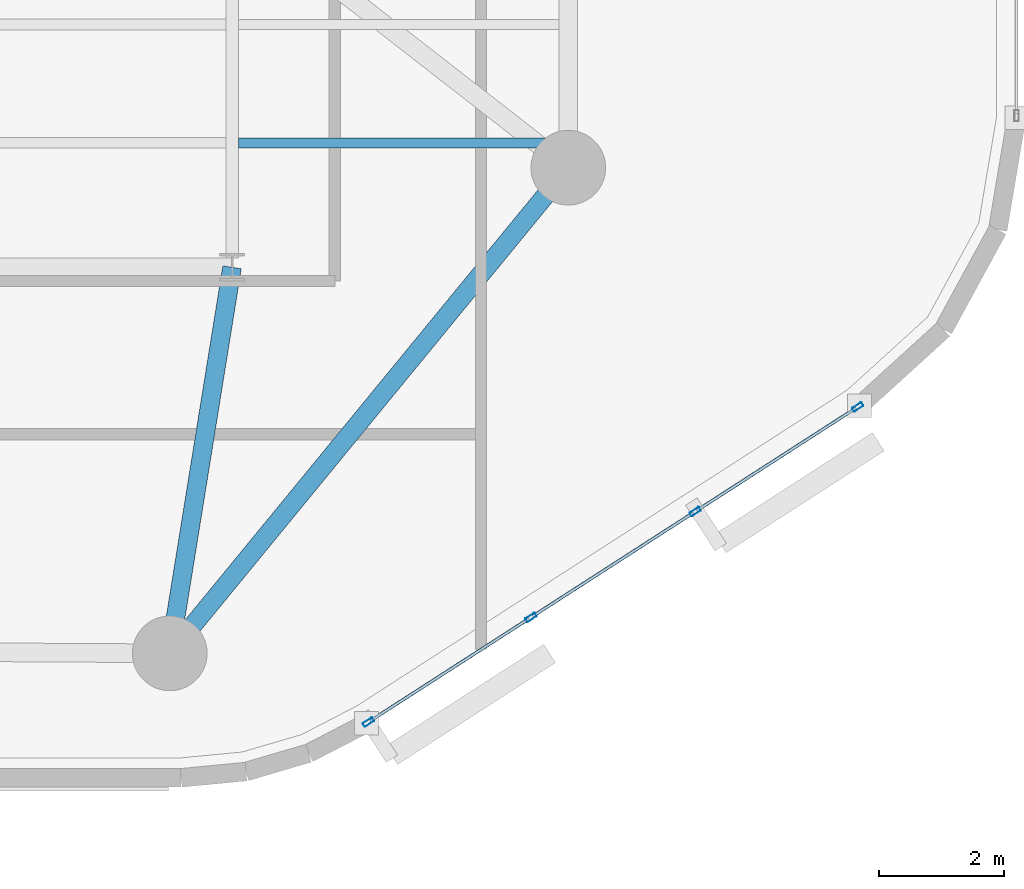
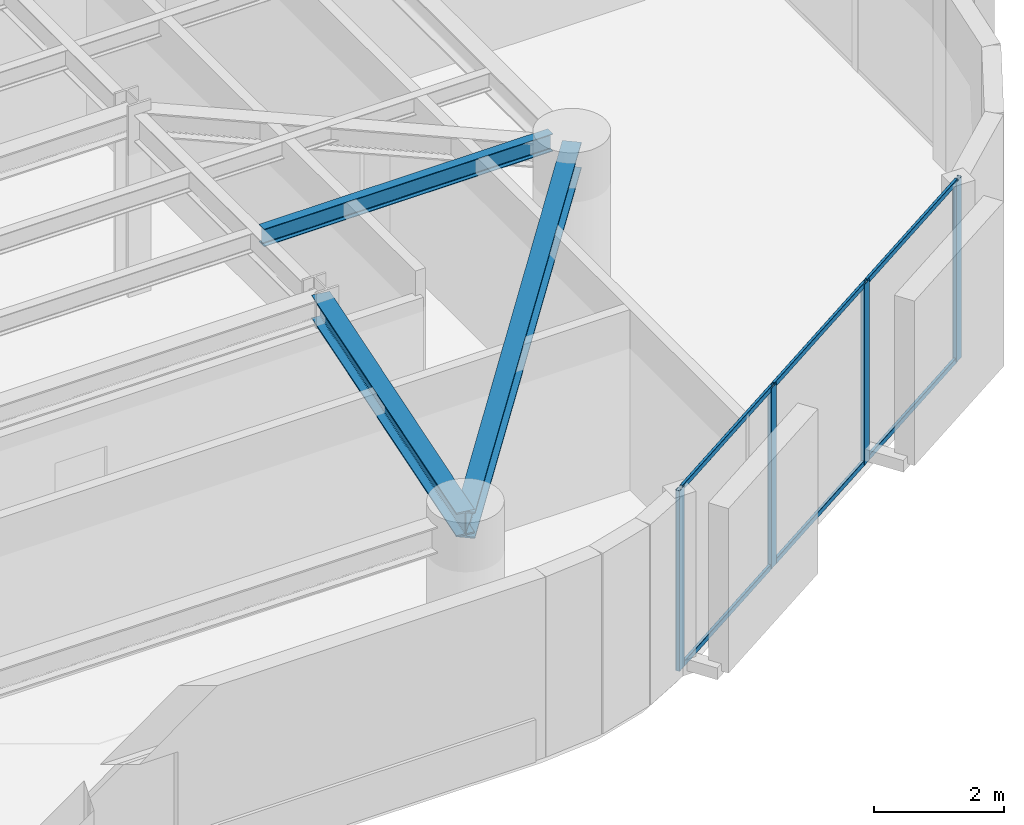
# One storey, part 2 of 15: 10 members, 3 beams, 1 element without a shape of its own.
"""IFC4 building model written with IfcOpenShell, lengths in metres."""

import ifcopenshell
import ifcopenshell.guid

model = None  # the IFC model being written
_history = None  # IfcOwnerHistory: only IFC2X3 demands one
_inside = {}  # id of a spatial element -> (the spatial element, [elements in it])
_under = {}  # id of a project, library or spatial element -> (it, [spatial elements below it])
_declared = {}  # id of a project -> (the project, [libraries it declares])
_typed = {}  # id of a type object -> (the type object, [elements of that type])
_made_of = {}  # id of a material, layer set ... -> (it, [elements and type objects made of it])


def new_model(schema):
    """Start an empty IFC model of exactly this schema.

    Asked for "IFC4X3", IfcOpenShell would pick the latest addendum, in which some entities
    have other attributes; the version numbers below select the first issue.
    IFC2X3 requires an IfcOwnerHistory on every rooted entity: one is made here for all.
    """
    global model, _history
    if schema == "IFC4X3":
        model = ifcopenshell.file(schema_version=(4, 3, 0, 0))
    else:
        model = ifcopenshell.file(schema=schema)
    _inside.clear()
    _under.clear()
    _declared.clear()
    _typed.clear()
    _made_of.clear()
    _history = None
    if model.schema == "IFC2X3":
        org = make("IfcOrganization", Name="unknown")
        user = make(
            "IfcPersonAndOrganization",
            ThePerson=make("IfcPerson", FamilyName="unknown"),
            TheOrganization=org,
        )
        app = make(
            "IfcApplication",
            ApplicationDeveloper=org,
            Version="unknown",
            ApplicationFullName="unknown",
            ApplicationIdentifier="unknown",
        )
        _history = make(
            "IfcOwnerHistory",
            OwningUser=user,
            OwningApplication=app,
            ChangeAction="ADDED",
            CreationDate=0,
        )
    return model


def make(cls, **values):
    """One entity of the class cls with the attributes given. An attribute that is None is left unset."""
    return model.create_entity(
        cls, **{name: value for name, value in values.items() if value is not None}
    )


def rooted(cls, **values):
    """An entity with a GlobalId (a new one), such as an element, a storey or a relation."""
    return make(cls, GlobalId=ifcopenshell.guid.new(), OwnerHistory=_history, **values)


def si_unit(unit_type, name, prefix=None):
    """IfcSIUnit, for example si_unit("LENGTHUNIT", "METRE", prefix="MILLI")."""
    return make("IfcSIUnit", UnitType=unit_type, Prefix=prefix, Name=name)


def assignment(units):
    """IfcUnitAssignment: the units of a project."""
    return None if units is None else make("IfcUnitAssignment", Units=units)


def point(xyz):
    """IfcCartesianPoint."""
    return None if xyz is None else make("IfcCartesianPoint", Coordinates=xyz)


def direction(xyz):
    """IfcDirection."""
    return None if xyz is None else make("IfcDirection", DirectionRatios=xyz)


def frame(location, z_axis=None, x_axis=None):
    """IfcAxis2Placement3D, a coordinate frame: its origin and axes. An axis left out is left unset."""
    return make(
        "IfcAxis2Placement3D",
        Location=point(location),
        Axis=direction(z_axis),
        RefDirection=direction(x_axis),
    )


def frame_2d(location, x_axis=None):
    """IfcAxis2Placement2D, a coordinate frame in the plane: its origin and x axis."""
    return make(
        "IfcAxis2Placement2D", Location=point(location), RefDirection=direction(x_axis)
    )


def origin():
    """The frame at (0, 0, 0) with its axes left unset."""
    return frame((0.0, 0.0, 0.0))


def origin_2d():
    """The frame at (0, 0) in the plane with its x axis left unset."""
    return frame_2d((0.0, 0.0))


def place(relative_to, where):
    """IfcLocalPlacement: puts the frame where relative to a parent placement (None: the world)."""
    return make(
        "IfcLocalPlacement", PlacementRelTo=relative_to, RelativePlacement=where
    )


def context(
    kind, dimensions, precision=None, world=None, true_north=None, identifier=None
):
    """IfcGeometricRepresentationContext, for example the 3D "Model" context."""
    return make(
        "IfcGeometricRepresentationContext",
        ContextIdentifier=identifier,
        ContextType=kind,
        CoordinateSpaceDimension=dimensions,
        Precision=precision,
        WorldCoordinateSystem=world,
        TrueNorth=true_north,
    )


def subcontext(parent, identifier, kind, view, scale=None):
    """IfcGeometricRepresentationSubContext, for example "Body" below "Model"."""
    return make(
        "IfcGeometricRepresentationSubContext",
        ContextIdentifier=identifier,
        ContextType=kind,
        ParentContext=parent,
        TargetScale=scale,
        TargetView=view,
    )


def project(units=None, contexts=None):
    """IfcProject with its units and contexts."""
    return rooted(
        "IfcProject",
        Name="project",
        RepresentationContexts=contexts,
        UnitsInContext=assignment(units),
    )


def spatial(cls, under=None, at=None, **own):
    """A site, building, storey or space (cls), placed at a placement, below another one or the project."""
    s = rooted(cls, ObjectPlacement=at, **own)
    if under is not None:
        _under.setdefault(under.id(), (under, []))[1].append(s)
    return s


def profile(cls, at=None, kind="AREA", **sizes):
    """A parametric profile (cls). Its sizes go by their IFC names, for example OverallWidth=200.0."""
    return make(cls, ProfileType=kind, Position=at, **sizes)


def hollow_rectangle(**sizes):
    """IfcRectangleHollowProfileDef."""
    return profile("IfcRectangleHollowProfileDef", **sizes)


def i_section(**sizes):
    """IfcIShapeProfileDef."""
    return profile("IfcIShapeProfileDef", **sizes)


def extrude(swept, where, along, depth):
    """IfcExtrudedAreaSolid: the profile swept, set in the frame where, extruded along a direction by depth."""
    return make(
        "IfcExtrudedAreaSolid",
        SweptArea=swept,
        Position=where,
        ExtrudedDirection=direction(along),
        Depth=depth,
    )


def shape(context_of_items, identifier, shape_type, items):
    """IfcShapeRepresentation: the items that make up one representation, for example the "Body"."""
    return make(
        "IfcShapeRepresentation",
        ContextOfItems=context_of_items,
        RepresentationIdentifier=identifier,
        RepresentationType=shape_type,
        Items=items,
    )


def material(Name=None, Category=None):
    """IfcMaterial."""
    return make("IfcMaterial", Name=Name, Category=Category)


def layer(
    of_material, thickness, ventilated=None, Name=None, Category=None, Priority=None
):
    """IfcMaterialLayer: one layer of a wall or slab, of a material (None: an air gap)."""
    return make(
        "IfcMaterialLayer",
        Material=of_material,
        LayerThickness=thickness,
        IsVentilated=ventilated,
        Name=Name,
        Category=Category,
        Priority=Priority,
    )


def layer_set(layers, Name=None):
    """IfcMaterialLayerSet."""
    return make("IfcMaterialLayerSet", MaterialLayers=layers, LayerSetName=Name)


def material_profile(
    of_material, cross_section, Name=None, Category=None, Priority=None
):
    """IfcMaterialProfile: a cross section and its material."""
    return make(
        "IfcMaterialProfile",
        Name=Name,
        Material=of_material,
        Profile=cross_section,
        Priority=Priority,
        Category=Category,
    )


def profile_set(profiles, Name=None, composite=None):
    """IfcMaterialProfileSet."""
    return make(
        "IfcMaterialProfileSet",
        Name=Name,
        MaterialProfiles=profiles,
        CompositeProfile=composite,
    )


def made_of(thing, what):
    """Note that an element or type object is made of a material, layer set ...; save() writes the relation."""
    if what is not None:
        _made_of.setdefault(what.id(), (what, []))[1].append(thing)
    return thing


def type_object(cls, material=None, **own):
    """A type object (cls), such as IfcWallType, which elements share."""
    return made_of(rooted(cls, **own), material)


def element(
    cls,
    number,
    at=None,
    inside=None,
    cuts=None,
    type_object=None,
    material=None,
    context=None,
    identifier="Body",
    shape_type=None,
    held_by="IfcProductDefinitionShape",
    body=None,
    shapes=None,
    **own,
):
    """One element of the class cls, such as IfcWall. Its Tag is "e" and its number.

    at: its placement. inside: the storey or other place that contains it. cuts: it is an
    opening in that element (IfcRelVoidsElement). A single representation is given by context,
    identifier, shape_type and body (its items); several are given by shapes. held_by: the class
    of the entity that holds the representations. save() writes the other relations.
    """
    e = rooted(cls, Tag="e%d" % number, ObjectPlacement=at, **own)
    if body is not None:
        shapes = [shape(context, identifier, shape_type, body)]
    if shapes is not None:
        e.Representation = make(held_by, Representations=shapes)
    if inside is not None:
        _inside.setdefault(inside.id(), (inside, []))[1].append(e)
    if cuts is not None:
        rooted(
            "IfcRelVoidsElement", RelatingBuildingElement=cuts, RelatedOpeningElement=e
        )
    if type_object is not None:
        _typed.setdefault(type_object.id(), (type_object, []))[1].append(e)
    return made_of(e, material)


def aggregate(whole, parts):
    """IfcRelAggregates: a whole, such as a stair, and the parts it consists of."""
    return rooted("IfcRelAggregates", RelatingObject=whole, RelatedObjects=parts)


def save(model, path):
    """Write the relations noted so far, then the file.

    IfcRelAggregates (storeys below a building ...), IfcRelContainedInSpatialStructure (elements
    in a storey), IfcRelDefinesByType, IfcRelAssociatesMaterial and IfcRelDeclares: one each for
    every whole, place, type object, material and project.
    """
    for whole, parts in _under.values():
        aggregate(whole, parts)
    for where, things in _inside.values():
        rooted(
            "IfcRelContainedInSpatialStructure",
            RelatedElements=things,
            RelatingStructure=where,
        )
    for kind, things in _typed.values():
        rooted("IfcRelDefinesByType", RelatedObjects=things, RelatingType=kind)
    for what, things in _made_of.values():
        rooted("IfcRelAssociatesMaterial", RelatedObjects=things, RelatingMaterial=what)
    for by, libraries in _declared.values():
        rooted("IfcRelDeclares", RelatingContext=by, RelatedDefinitions=libraries)
    model.write(path)


model = new_model("IFC4")

# Units and contexts
model_context = context("Model", 3, precision=1e-05, world=origin(), true_north=direction((0.0, 1.0)))
body_context = subcontext(model_context, "Body", "Model", "MODEL_VIEW")
ifc_project = project(units=[si_unit("LENGTHUNIT", "METRE"), si_unit("AREAUNIT", "SQUARE_METRE"), si_unit("VOLUMEUNIT", "CUBIC_METRE"), si_unit("PLANEANGLEUNIT", "RADIAN"), si_unit("MASSUNIT", "GRAM", prefix="KILO")], contexts=[model_context])

# Site, building, storey
site_placement = place(None, origin())
site = spatial("IfcSite", under=ifc_project, at=site_placement, CompositionType="ELEMENT")
building_placement = place(site_placement, origin())
building = spatial("IfcBuilding", under=site, at=building_placement, Name="An Khanh Terracotta Commons", CompositionType="ELEMENT")
storey_placement = place(building_placement, frame((0.0, 0.0, 169.0)))
storey = spatial("IfcBuildingStorey", under=building, at=storey_placement, Name="L44", CompositionType="ELEMENT", Elevation=169.0)

# Beams
ifc_material_1 = material(Name="Steel S355J2", Category="steel")
ifc_material_profile_1 = material_profile(ifc_material_1, i_section(OverallWidth=0.300048828125, OverallDepth=0.449951171875, WebThickness=0.013916015625, FlangeThickness=0.02587890625, FilletRadius=0.027099609375, at=origin_2d()), Name="HEB450")
ifc_profile_set_1 = profile_set([ifc_material_profile_1], Name="Steel S355J2")
beam_type_1 = type_object("IfcBeamType", Name="BM-HEB450", PredefinedType="BEAM", material=ifc_profile_set_1)
beam_1_placement = place(storey_placement, frame((49.39990234375, 8.199951171875, 3.175048828125), z_axis=(0.159233661074, 0.987240923575, 0.0), x_axis=(-0.987240923575, 0.159233661074, 0.0)))
element("IfcBeam", 1, at=beam_1_placement, inside=storey, type_object=beam_type_1, Name="L44 Mega-Column Tie Girder 2", PredefinedType="BEAM", context=body_context, shape_type="SweptSolid", body=[
    extrude(i_section(OverallWidth=0.300048828125, OverallDepth=0.449951171875, WebThickness=0.013916015625, FlangeThickness=0.02587890625, FilletRadius=0.027099609375, at=origin_2d()), origin(), (0.0, 0.0, 1.0), 6.280029296875),
])
ifc_material_profile_2 = material_profile(ifc_material_1, i_section(OverallWidth=0.300048828125, OverallDepth=0.5, WebThickness=0.014404296875, FlangeThickness=0.028076171875, FilletRadius=0.027099609375, at=origin_2d()), Name="HEB500")
ifc_profile_set_2 = profile_set([ifc_material_profile_2], Name="Steel S355J2")
beam_type_2 = type_object("IfcBeamType", Name="BM-HEB500", PredefinedType="BEAM", material=ifc_profile_set_2)
beam_2_placement = place(storey_placement, frame((49.39990234375, 8.199951171875, 3.14990234375), z_axis=(0.634322915223, 0.7730681983, 0.0), x_axis=(-0.7730681983, 0.634322915223, 0.0)))
element("IfcBeam", 2, at=beam_2_placement, inside=storey, type_object=beam_type_2, Name="L44 Perimeter Ring Spandrel 2", PredefinedType="BEAM", context=body_context, shape_type="SweptSolid", body=[
    extrude(i_section(OverallWidth=0.300048828125, OverallDepth=0.5, WebThickness=0.014404296875, FlangeThickness=0.028076171875, FilletRadius=0.027099609375, at=origin_2d()), origin(), (0.0, 0.0, 1.0), 10.08984375),
])
ifc_material_profile_3 = material_profile(ifc_material_1, i_section(OverallWidth=0.159912109375, OverallDepth=0.330078125, WebThickness=0.007568359375, FlangeThickness=0.011474609375, FilletRadius=0.01806640625, at=origin_2d()), Name="IPE330")
ifc_profile_set_3 = profile_set([ifc_material_profile_3], Name="Steel S355J2")
beam_type_3 = type_object("IfcBeamType", Name="BM-IPE330", PredefinedType="JOIST", material=ifc_profile_set_3)
beam_3_placement = place(storey_placement, frame((50.5, 16.39990234375, 3.235107421875), z_axis=(1.0, 0.0, 0.0), x_axis=(0.0, 1.0, 0.0)))
element("IfcBeam", 3, at=beam_3_placement, inside=storey, type_object=beam_type_3, Name="L44 Riverfront Composite Joist 1", PredefinedType="JOIST", context=body_context, shape_type="SweptSolid", body=[
    extrude(i_section(OverallWidth=0.159912109375, OverallDepth=0.330078125, WebThickness=0.007568359375, FlangeThickness=0.011474609375, FilletRadius=0.01806640625, at=origin_2d()), origin(), (0.0, 0.0, 1.0), 5.14990234375),
])

# Curtain wall, members
ifc_material_2 = material(Name="Anodised Aluminium 6063-T6", Category="aluminium")
ifc_layer = layer(ifc_material_2, 0.2099609375, Name="Anodised Aluminium 6063-T6")
ifc_layer_set = layer_set([ifc_layer], Name="Anodised Aluminium 6063-T6")
curtain_wall_type = type_object("IfcCurtainWallType", Name="CW-SYS-03", PredefinedType="USERDEFINED", material=ifc_layer_set)
curtain_wall_placement = place(storey_placement, origin())
curtain_wall = element("IfcCurtainWall", 4, at=curtain_wall_placement, inside=storey, type_object=curtain_wall_type, Name="L44 CW-03 Unitised Curtain Wall CW-L44-08", ObjectType="UNITISED CURTAIN WALL", PredefinedType="USERDEFINED")
ifc_material_profile_4 = material_profile(ifc_material_2, hollow_rectangle(XDim=0.070068359375, YDim=0.179931640625, WallThickness=0.00390625, InnerFilletRadius=0.00390625, OuterFilletRadius=0.008056640625, at=origin_2d()), Name="RHS180x70x4")
ifc_profile_set_4 = profile_set([ifc_material_profile_4], Name="Anodised Aluminium 6063-T6")
member_type_1 = type_object("IfcMemberType", Name="CWM-RHS180x70x4", PredefinedType="MULLION", material=ifc_profile_set_4)
member_1_placement = place(storey_placement, frame((52.58935546875, 7.094970703125, 0.0), z_axis=(0.0, 0.0, 1.0), x_axis=(-0.541497931062, 0.840702081986, 0.0)))
member_1 = element("IfcMember", 5, at=member_1_placement, type_object=member_type_1, Name="CW-03 mullion 1", PredefinedType="MULLION", context=body_context, shape_type="SweptSolid", body=[
    extrude(hollow_rectangle(XDim=0.070068359375, YDim=0.179931640625, WallThickness=0.00390625, InnerFilletRadius=0.00390625, OuterFilletRadius=0.008056640625, at=origin_2d()), origin(), (0.0, 0.0, 1.0), 3.39990234375),
])
member_2_placement = place(storey_placement, frame((55.19921875, 8.77587890625, 0.0), z_axis=(0.0, 0.0, 1.0), x_axis=(-0.541497931062, 0.840702081986, 0.0)))
member_2 = element("IfcMember", 6, at=member_2_placement, type_object=member_type_1, Name="CW-03 mullion 2", PredefinedType="MULLION", context=body_context, shape_type="SweptSolid", body=[
    extrude(hollow_rectangle(XDim=0.070068359375, YDim=0.179931640625, WallThickness=0.00390625, InnerFilletRadius=0.00390625, OuterFilletRadius=0.008056640625, at=origin_2d()), origin(), (0.0, 0.0, 1.0), 3.39990234375),
])
member_3_placement = place(storey_placement, frame((57.838623046875, 10.47607421875, 0.0), z_axis=(0.0, 0.0, 1.0), x_axis=(-0.541497931062, 0.840702081986, 0.0)))
member_3 = element("IfcMember", 7, at=member_3_placement, type_object=member_type_1, Name="CW-03 mullion 3", PredefinedType="MULLION", context=body_context, shape_type="SweptSolid", body=[
    extrude(hollow_rectangle(XDim=0.070068359375, YDim=0.179931640625, WallThickness=0.00390625, InnerFilletRadius=0.00390625, OuterFilletRadius=0.008056640625, at=origin_2d()), origin(), (0.0, 0.0, 1.0), 3.39990234375),
])
member_4_placement = place(storey_placement, frame((60.448486328125, 12.156982421875, 0.0), z_axis=(0.0, 0.0, 1.0), x_axis=(-0.541497931062, 0.840702081986, 0.0)))
member_4 = element("IfcMember", 8, at=member_4_placement, type_object=member_type_1, Name="CW-03 mullion 4", PredefinedType="MULLION", context=body_context, shape_type="SweptSolid", body=[
    extrude(hollow_rectangle(XDim=0.070068359375, YDim=0.179931640625, WallThickness=0.00390625, InnerFilletRadius=0.00390625, OuterFilletRadius=0.008056640625, at=origin_2d()), origin(), (0.0, 0.0, 1.0), 3.39990234375),
])
ifc_material_profile_5 = material_profile(ifc_material_2, hollow_rectangle(XDim=0.050048828125, YDim=0.10009765625, WallThickness=0.003173828125, InnerFilletRadius=0.003173828125, OuterFilletRadius=0.00634765625, at=origin_2d()), Name="RHS100x50x3.2")
ifc_profile_set_5 = profile_set([ifc_material_profile_5], Name="Anodised Aluminium 6063-T6")
member_type_2 = type_object("IfcMemberType", Name="CWT-RHS100x50x3.2", PredefinedType="USERDEFINED", material=ifc_profile_set_5)
member_5_placement = place(storey_placement, frame((52.618896484375, 7.114013671875, 0.02490234375), z_axis=(0.840710223453, 0.541485290826, 0.0), x_axis=(-0.541485290826, 0.840710223453, 0.0)))
member_5 = element("IfcMember", 9, at=member_5_placement, type_object=member_type_2, Name="CW-03 transom 1.1", ObjectType="TRANSOM", PredefinedType="USERDEFINED", context=body_context, shape_type="SweptSolid", body=[
    extrude(hollow_rectangle(XDim=0.050048828125, YDim=0.10009765625, WallThickness=0.003173828125, InnerFilletRadius=0.003173828125, OuterFilletRadius=0.00634765625, at=origin_2d()), origin(), (0.0, 0.0, 1.0), 3.034423828125),
])
member_6_placement = place(storey_placement, frame((52.618896484375, 7.114013671875, 3.375), z_axis=(0.840710223453, 0.541485290826, 0.0), x_axis=(-0.541485290826, 0.840710223453, 0.0)))
member_6 = element("IfcMember", 10, at=member_6_placement, type_object=member_type_2, Name="CW-03 transom 1.2", ObjectType="TRANSOM", PredefinedType="USERDEFINED", context=body_context, shape_type="SweptSolid", body=[
    extrude(hollow_rectangle(XDim=0.050048828125, YDim=0.10009765625, WallThickness=0.003173828125, InnerFilletRadius=0.003173828125, OuterFilletRadius=0.00634765625, at=origin_2d()), origin(), (0.0, 0.0, 1.0), 3.034423828125),
])
member_7_placement = place(storey_placement, frame((55.228759765625, 8.794921875, 0.02490234375), z_axis=(0.840707825526, 0.54148901383, 0.0), x_axis=(-0.54148901383, 0.840707825526, 0.0)))
member_7 = element("IfcMember", 11, at=member_7_placement, type_object=member_type_2, Name="CW-03 transom 2.1", ObjectType="TRANSOM", PredefinedType="USERDEFINED", context=body_context, shape_type="SweptSolid", body=[
    extrude(hollow_rectangle(XDim=0.050048828125, YDim=0.10009765625, WallThickness=0.003173828125, InnerFilletRadius=0.003173828125, OuterFilletRadius=0.00634765625, at=origin_2d()), origin(), (0.0, 0.0, 1.0), 3.069580078125),
])
member_8_placement = place(storey_placement, frame((55.228759765625, 8.794921875, 3.375), z_axis=(0.840707825526, 0.54148901383, 0.0), x_axis=(-0.54148901383, 0.840707825526, 0.0)))
member_8 = element("IfcMember", 12, at=member_8_placement, type_object=member_type_2, Name="CW-03 transom 2.2", ObjectType="TRANSOM", PredefinedType="USERDEFINED", context=body_context, shape_type="SweptSolid", body=[
    extrude(hollow_rectangle(XDim=0.050048828125, YDim=0.10009765625, WallThickness=0.003173828125, InnerFilletRadius=0.003173828125, OuterFilletRadius=0.00634765625, at=origin_2d()), origin(), (0.0, 0.0, 1.0), 3.069580078125),
])
member_9_placement = place(storey_placement, frame((57.8681640625, 10.494873046875, 0.02490234375), z_axis=(0.840673595852, 0.541542154626, 0.0), x_axis=(-0.541542154626, 0.840673595852, 0.0)))
member_9 = element("IfcMember", 13, at=member_9_placement, type_object=member_type_2, Name="CW-03 transom 3.1", ObjectType="TRANSOM", PredefinedType="USERDEFINED", context=body_context, shape_type="SweptSolid", body=[
    extrude(hollow_rectangle(XDim=0.050048828125, YDim=0.10009765625, WallThickness=0.003173828125, InnerFilletRadius=0.003173828125, OuterFilletRadius=0.00634765625, at=origin_2d()), origin(), (0.0, 0.0, 1.0), 3.034423828125),
])
member_10_placement = place(storey_placement, frame((57.8681640625, 10.494873046875, 3.375), z_axis=(0.840673595852, 0.541542154626, 0.0), x_axis=(-0.541542154626, 0.840673595852, 0.0)))
member_10 = element("IfcMember", 14, at=member_10_placement, type_object=member_type_2, Name="CW-03 transom 3.2", ObjectType="TRANSOM", PredefinedType="USERDEFINED", context=body_context, shape_type="SweptSolid", body=[
    extrude(hollow_rectangle(XDim=0.050048828125, YDim=0.10009765625, WallThickness=0.003173828125, InnerFilletRadius=0.003173828125, OuterFilletRadius=0.00634765625, at=origin_2d()), origin(), (0.0, 0.0, 1.0), 3.034423828125),
])
aggregate(curtain_wall, [member_1, member_2, member_3, member_4, member_5, member_6, member_7, member_8, member_9, member_10])

save(model, "model.ifc")
